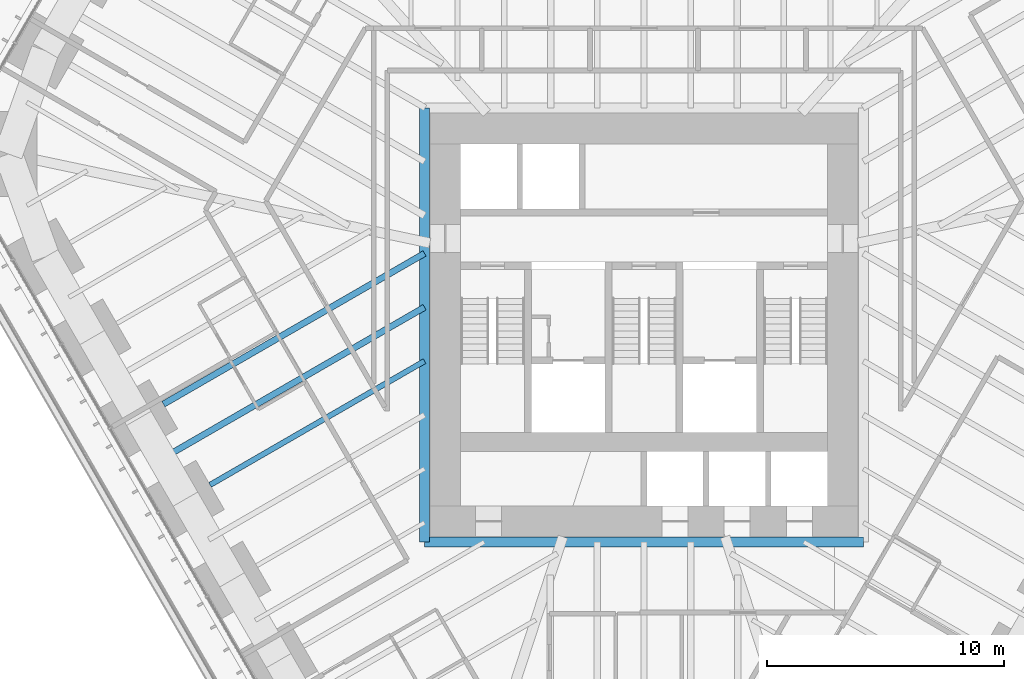
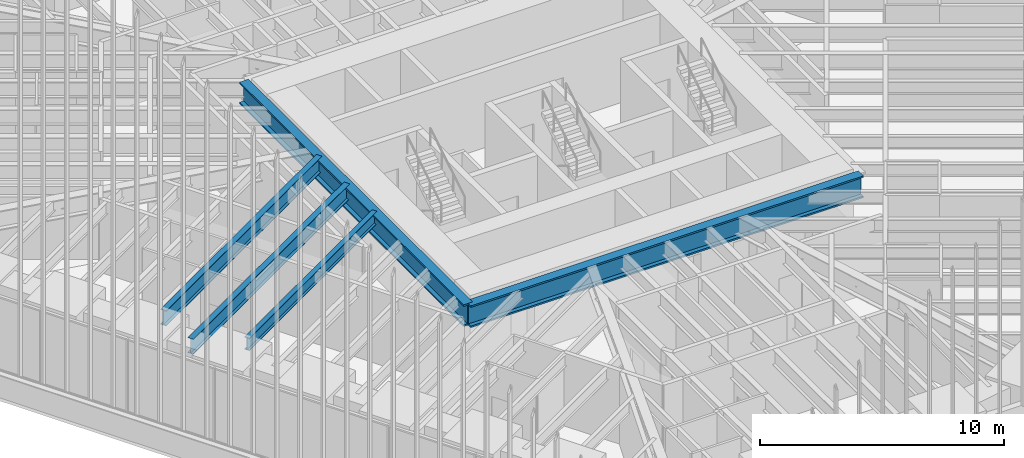
# One storey, part 58 of 238: 5 beams.
"""IFC4 building model written with IfcOpenShell, lengths in metres."""

import ifcopenshell
import ifcopenshell.guid

model = None  # the IFC model being written
_history = None  # IfcOwnerHistory: only IFC2X3 demands one
_inside = {}  # id of a spatial element -> (the spatial element, [elements in it])
_under = {}  # id of a project, library or spatial element -> (it, [spatial elements below it])
_declared = {}  # id of a project -> (the project, [libraries it declares])
_typed = {}  # id of a type object -> (the type object, [elements of that type])
_made_of = {}  # id of a material, layer set ... -> (it, [elements and type objects made of it])


def new_model(schema):
    """Start an empty IFC model of exactly this schema.

    Asked for "IFC4X3", IfcOpenShell would pick the latest addendum, in which some entities
    have other attributes; the version numbers below select the first issue.
    IFC2X3 requires an IfcOwnerHistory on every rooted entity: one is made here for all.
    """
    global model, _history
    if schema == "IFC4X3":
        model = ifcopenshell.file(schema_version=(4, 3, 0, 0))
    else:
        model = ifcopenshell.file(schema=schema)
    _inside.clear()
    _under.clear()
    _declared.clear()
    _typed.clear()
    _made_of.clear()
    _history = None
    if model.schema == "IFC2X3":
        org = make("IfcOrganization", Name="unknown")
        user = make(
            "IfcPersonAndOrganization",
            ThePerson=make("IfcPerson", FamilyName="unknown"),
            TheOrganization=org,
        )
        app = make(
            "IfcApplication",
            ApplicationDeveloper=org,
            Version="unknown",
            ApplicationFullName="unknown",
            ApplicationIdentifier="unknown",
        )
        _history = make(
            "IfcOwnerHistory",
            OwningUser=user,
            OwningApplication=app,
            ChangeAction="ADDED",
            CreationDate=0,
        )
    return model


def make(cls, **values):
    """One entity of the class cls with the attributes given. An attribute that is None is left unset."""
    return model.create_entity(
        cls, **{name: value for name, value in values.items() if value is not None}
    )


def rooted(cls, **values):
    """An entity with a GlobalId (a new one), such as an element, a storey or a relation."""
    return make(cls, GlobalId=ifcopenshell.guid.new(), OwnerHistory=_history, **values)


def si_unit(unit_type, name, prefix=None):
    """IfcSIUnit, for example si_unit("LENGTHUNIT", "METRE", prefix="MILLI")."""
    return make("IfcSIUnit", UnitType=unit_type, Prefix=prefix, Name=name)


def assignment(units):
    """IfcUnitAssignment: the units of a project."""
    return None if units is None else make("IfcUnitAssignment", Units=units)


def point(xyz):
    """IfcCartesianPoint."""
    return None if xyz is None else make("IfcCartesianPoint", Coordinates=xyz)


def direction(xyz):
    """IfcDirection."""
    return None if xyz is None else make("IfcDirection", DirectionRatios=xyz)


def frame(location, z_axis=None, x_axis=None):
    """IfcAxis2Placement3D, a coordinate frame: its origin and axes. An axis left out is left unset."""
    return make(
        "IfcAxis2Placement3D",
        Location=point(location),
        Axis=direction(z_axis),
        RefDirection=direction(x_axis),
    )


def frame_2d(location, x_axis=None):
    """IfcAxis2Placement2D, a coordinate frame in the plane: its origin and x axis."""
    return make(
        "IfcAxis2Placement2D", Location=point(location), RefDirection=direction(x_axis)
    )


def origin():
    """The frame at (0, 0, 0) with its axes left unset."""
    return frame((0.0, 0.0, 0.0))


def origin_2d():
    """The frame at (0, 0) in the plane with its x axis left unset."""
    return frame_2d((0.0, 0.0))


def place(relative_to, where):
    """IfcLocalPlacement: puts the frame where relative to a parent placement (None: the world)."""
    return make(
        "IfcLocalPlacement", PlacementRelTo=relative_to, RelativePlacement=where
    )


def context(
    kind, dimensions, precision=None, world=None, true_north=None, identifier=None
):
    """IfcGeometricRepresentationContext, for example the 3D "Model" context."""
    return make(
        "IfcGeometricRepresentationContext",
        ContextIdentifier=identifier,
        ContextType=kind,
        CoordinateSpaceDimension=dimensions,
        Precision=precision,
        WorldCoordinateSystem=world,
        TrueNorth=true_north,
    )


def subcontext(parent, identifier, kind, view, scale=None):
    """IfcGeometricRepresentationSubContext, for example "Body" below "Model"."""
    return make(
        "IfcGeometricRepresentationSubContext",
        ContextIdentifier=identifier,
        ContextType=kind,
        ParentContext=parent,
        TargetScale=scale,
        TargetView=view,
    )


def project(units=None, contexts=None):
    """IfcProject with its units and contexts."""
    return rooted(
        "IfcProject",
        Name="project",
        RepresentationContexts=contexts,
        UnitsInContext=assignment(units),
    )


def spatial(cls, under=None, at=None, **own):
    """A site, building, storey or space (cls), placed at a placement, below another one or the project."""
    s = rooted(cls, ObjectPlacement=at, **own)
    if under is not None:
        _under.setdefault(under.id(), (under, []))[1].append(s)
    return s


def profile(cls, at=None, kind="AREA", **sizes):
    """A parametric profile (cls). Its sizes go by their IFC names, for example OverallWidth=200.0."""
    return make(cls, ProfileType=kind, Position=at, **sizes)


def i_section(**sizes):
    """IfcIShapeProfileDef."""
    return profile("IfcIShapeProfileDef", **sizes)


def extrude(swept, where, along, depth):
    """IfcExtrudedAreaSolid: the profile swept, set in the frame where, extruded along a direction by depth."""
    return make(
        "IfcExtrudedAreaSolid",
        SweptArea=swept,
        Position=where,
        ExtrudedDirection=direction(along),
        Depth=depth,
    )


def shape(context_of_items, identifier, shape_type, items):
    """IfcShapeRepresentation: the items that make up one representation, for example the "Body"."""
    return make(
        "IfcShapeRepresentation",
        ContextOfItems=context_of_items,
        RepresentationIdentifier=identifier,
        RepresentationType=shape_type,
        Items=items,
    )


def material(Name=None, Category=None):
    """IfcMaterial."""
    return make("IfcMaterial", Name=Name, Category=Category)


def material_profile(
    of_material, cross_section, Name=None, Category=None, Priority=None
):
    """IfcMaterialProfile: a cross section and its material."""
    return make(
        "IfcMaterialProfile",
        Name=Name,
        Material=of_material,
        Profile=cross_section,
        Priority=Priority,
        Category=Category,
    )


def profile_set(profiles, Name=None, composite=None):
    """IfcMaterialProfileSet."""
    return make(
        "IfcMaterialProfileSet",
        Name=Name,
        MaterialProfiles=profiles,
        CompositeProfile=composite,
    )


def made_of(thing, what):
    """Note that an element or type object is made of a material, layer set ...; save() writes the relation."""
    if what is not None:
        _made_of.setdefault(what.id(), (what, []))[1].append(thing)
    return thing


def type_object(cls, material=None, **own):
    """A type object (cls), such as IfcWallType, which elements share."""
    return made_of(rooted(cls, **own), material)


def element(
    cls,
    number,
    at=None,
    inside=None,
    cuts=None,
    type_object=None,
    material=None,
    context=None,
    identifier="Body",
    shape_type=None,
    held_by="IfcProductDefinitionShape",
    body=None,
    shapes=None,
    **own,
):
    """One element of the class cls, such as IfcWall. Its Tag is "e" and its number.

    at: its placement. inside: the storey or other place that contains it. cuts: it is an
    opening in that element (IfcRelVoidsElement). A single representation is given by context,
    identifier, shape_type and body (its items); several are given by shapes. held_by: the class
    of the entity that holds the representations. save() writes the other relations.
    """
    e = rooted(cls, Tag="e%d" % number, ObjectPlacement=at, **own)
    if body is not None:
        shapes = [shape(context, identifier, shape_type, body)]
    if shapes is not None:
        e.Representation = make(held_by, Representations=shapes)
    if inside is not None:
        _inside.setdefault(inside.id(), (inside, []))[1].append(e)
    if cuts is not None:
        rooted(
            "IfcRelVoidsElement", RelatingBuildingElement=cuts, RelatedOpeningElement=e
        )
    if type_object is not None:
        _typed.setdefault(type_object.id(), (type_object, []))[1].append(e)
    return made_of(e, material)


def aggregate(whole, parts):
    """IfcRelAggregates: a whole, such as a stair, and the parts it consists of."""
    return rooted("IfcRelAggregates", RelatingObject=whole, RelatedObjects=parts)


def save(model, path):
    """Write the relations noted so far, then the file.

    IfcRelAggregates (storeys below a building ...), IfcRelContainedInSpatialStructure (elements
    in a storey), IfcRelDefinesByType, IfcRelAssociatesMaterial and IfcRelDeclares: one each for
    every whole, place, type object, material and project.
    """
    for whole, parts in _under.values():
        aggregate(whole, parts)
    for where, things in _inside.values():
        rooted(
            "IfcRelContainedInSpatialStructure",
            RelatedElements=things,
            RelatingStructure=where,
        )
    for kind, things in _typed.values():
        rooted("IfcRelDefinesByType", RelatedObjects=things, RelatingType=kind)
    for what, things in _made_of.values():
        rooted("IfcRelAssociatesMaterial", RelatedObjects=things, RelatingMaterial=what)
    for by, libraries in _declared.values():
        rooted("IfcRelDeclares", RelatingContext=by, RelatedDefinitions=libraries)
    model.write(path)


model = new_model("IFC4")

# Units and contexts
model_context = context("Model", 3, precision=1e-05, world=origin(), true_north=direction((0.0, 1.0)))
body_context = subcontext(model_context, "Body", "Model", "MODEL_VIEW")
ifc_project = project(units=[si_unit("LENGTHUNIT", "METRE"), si_unit("AREAUNIT", "SQUARE_METRE"), si_unit("VOLUMEUNIT", "CUBIC_METRE"), si_unit("PLANEANGLEUNIT", "RADIAN"), si_unit("MASSUNIT", "GRAM", prefix="KILO")], contexts=[model_context])

# Site, building, storey
site_placement = place(None, origin())
site = spatial("IfcSite", under=ifc_project, at=site_placement, CompositionType="ELEMENT")
building_placement = place(site_placement, origin())
building = spatial("IfcBuilding", under=site, at=building_placement, Name="Sandreach Pilgrim Tower", CompositionType="ELEMENT")
storey_placement = place(building_placement, frame((0.0, 0.0, 96.800048828125)))
storey = spatial("IfcBuildingStorey", under=building, at=storey_placement, Name="L23", CompositionType="ELEMENT", Elevation=96.800048828125)

# Beams
ifc_material_1 = material(Name="Steel ASTM A992 Grade 50", Category="steel")
ifc_material_profile_1 = material_profile(ifc_material_1, i_section(OverallWidth=0.424072265625, OverallDepth=1.09228515625, WebThickness=0.04541015625, FlangeThickness=0.08203125, at=origin_2d()), Name="W40X593")
ifc_profile_set_1 = profile_set([ifc_material_profile_1], Name="Steel ASTM A992 Grade 50")
beam_type_1 = type_object("IfcBeamType", Name="Core edge beam W40X593", PredefinedType="BEAM", material=ifc_profile_set_1)
beam_1_placement = place(storey_placement, frame((9.27197265625, -10.72216796875, 3.09375), z_axis=(-1.0, 0.0, 0.0), x_axis=(0.0, -1.0, 0.0)))
element("IfcBeam", 1, at=beam_1_placement, inside=storey, type_object=beam_type_1, Name="BM L23 CES", PredefinedType="BEAM", context=body_context, shape_type="SweptSolid", body=[
    extrude(i_section(OverallWidth=0.424072265625, OverallDepth=1.09228515625, WebThickness=0.04541015625, FlangeThickness=0.08203125, at=origin_2d()), origin(), (0.0, 0.0, 1.0), 18.5439453125),
])
beam_2_placement = place(storey_placement, frame((-9.27197265625, -10.72216796875, 3.09375), z_axis=(0.0, 1.0, 0.0), x_axis=(-1.0, 0.0, 0.0)))
element("IfcBeam", 2, at=beam_2_placement, inside=storey, type_object=beam_type_1, Name="BM L23 CEW", PredefinedType="BEAM", context=body_context, shape_type="SweptSolid", body=[
    extrude(i_section(OverallWidth=0.424072265625, OverallDepth=1.09228515625, WebThickness=0.04541015625, FlangeThickness=0.08203125, at=origin_2d()), origin(), (0.0, 0.0, 1.0), 18.34423828125),
])
ifc_material_2 = material(Name="Steel ASTM A992 Grade 50", Category="steel")
ifc_material_profile_2 = material_profile(ifc_material_2, i_section(OverallWidth=0.23046875, OverallDepth=0.6171875, WebThickness=0.01318359375, FlangeThickness=0.022216796875, at=origin_2d()), Name="W24X94")
ifc_profile_set_2 = profile_set([ifc_material_profile_2], Name="Steel ASTM A992 Grade 50")
beam_type_2 = type_object("IfcBeamType", Name="Floor beam W24X94", PredefinedType="BEAM", material=ifc_profile_set_2)
beam_3_placement = place(storey_placement, frame((-18.334716796875, -8.310791015625, 3.331298828125), z_axis=(0.866033680824, 0.499985663472, 0.0), x_axis=(-0.499985663472, 0.866033680824, 0.0)))
element("IfcBeam", 3, at=beam_3_placement, inside=storey, type_object=beam_type_2, Name="BM L23 F31", PredefinedType="BEAM", context=body_context, shape_type="SweptSolid", body=[
    extrude(i_section(OverallWidth=0.23046875, OverallDepth=0.6171875, WebThickness=0.01318359375, FlangeThickness=0.022216796875, at=origin_2d()), origin(), (0.0, 0.0, 1.0), 10.464599609375),
])
ifc_material_3 = material(Name="Steel ASTM A992 Grade 50", Category="steel")
ifc_material_profile_3 = material_profile(ifc_material_3, i_section(OverallWidth=0.2666015625, OverallDepth=0.761962890625, WebThickness=0.014404296875, FlangeThickness=0.021484375, at=origin_2d()), Name="W30X116")
ifc_profile_set_3 = profile_set([ifc_material_profile_3], Name="Steel ASTM A992 Grade 50")
beam_type_3 = type_object("IfcBeamType", Name="Floor beam W30X116", PredefinedType="BEAM", material=ifc_profile_set_3)
beam_4_placement = place(storey_placement, frame((-20.3046875, -4.898681640625, 3.259033203125), z_axis=(0.866029209911, 0.499993407537, 0.0), x_axis=(-0.499993407537, 0.866029209911, 0.0)))
element("IfcBeam", 4, at=beam_4_placement, inside=storey, type_object=beam_type_3, Name="BM L23 F32", PredefinedType="BEAM", context=body_context, shape_type="SweptSolid", body=[
    extrude(i_section(OverallWidth=0.2666015625, OverallDepth=0.761962890625, WebThickness=0.014404296875, FlangeThickness=0.021484375, at=origin_2d()), origin(), (0.0, 0.0, 1.0), 12.739501953125),
])
beam_5_placement = place(storey_placement, frame((-20.35888671875, -7.204833984375, 3.259033203125), z_axis=(0.866022351924, 0.50000528594, 0.0), x_axis=(-0.50000528594, 0.866022351924, 0.0)))
element("IfcBeam", 5, at=beam_5_placement, inside=storey, type_object=beam_type_3, Name="BM L23 FM31", PredefinedType="BEAM", context=body_context, shape_type="SweptSolid", body=[
    extrude(i_section(OverallWidth=0.2666015625, OverallDepth=0.761962890625, WebThickness=0.014404296875, FlangeThickness=0.021484375, at=origin_2d()), origin(), (0.0, 0.0, 1.0), 12.802001953125),
])

save(model, "model.ifc")
